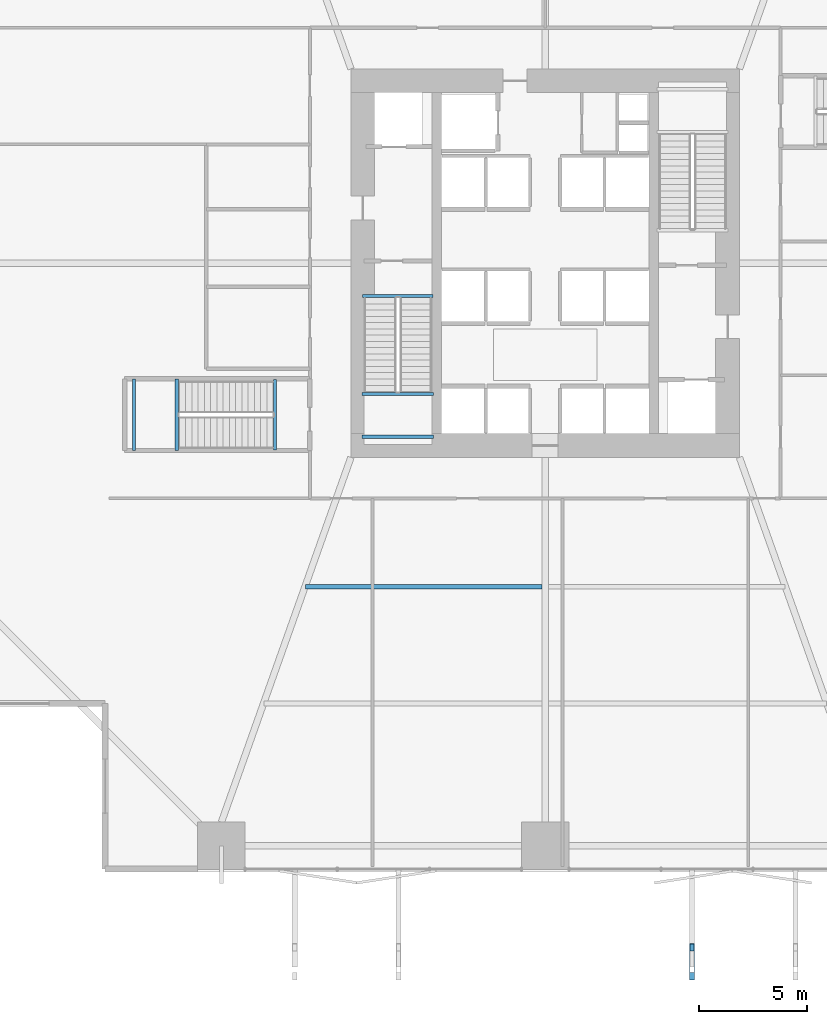
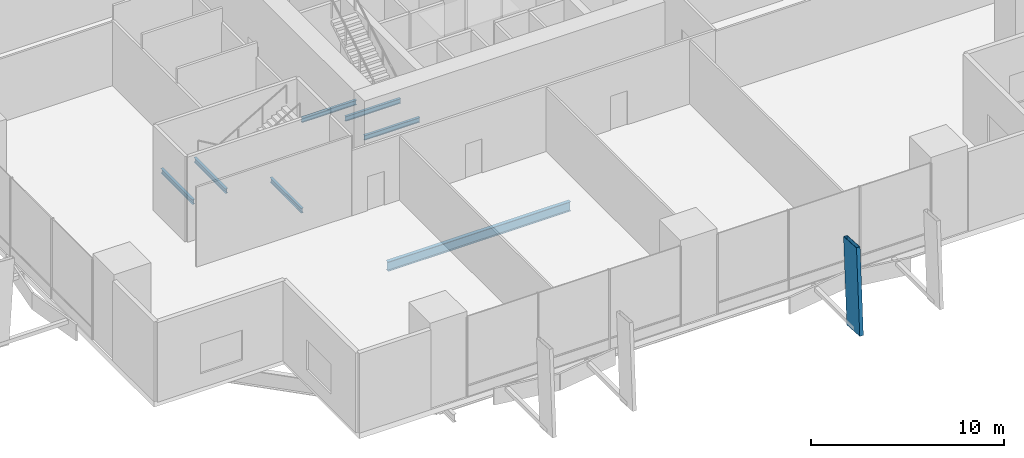
# One storey, part 5 of 24: 7 beams, 1 member.
"""IFC4 building model written with IfcOpenShell, lengths in metres."""

from ifc_helpers import new_model, si_unit, direction, frame, origin, origin_2d, place, context, subcontext, project, spatial, hollow_rectangle, i_section, extrude, material, material_profile, profile_set, type_object, element, save


model = new_model("IFC4")

# Units and contexts
model_context = context("Model", 3, precision=1e-05, world=origin(), true_north=direction((0.0, 1.0)))
body_context = subcontext(model_context, "Body", "Model", "MODEL_VIEW")
ifc_project = project(units=[si_unit("LENGTHUNIT", "METRE"), si_unit("AREAUNIT", "SQUARE_METRE"), si_unit("VOLUMEUNIT", "CUBIC_METRE"), si_unit("PLANEANGLEUNIT", "RADIAN"), si_unit("MASSUNIT", "GRAM", prefix="KILO")], contexts=[model_context])

# Site, building, storey
site_placement = place(None, origin())
site = spatial("IfcSite", under=ifc_project, at=site_placement, CompositionType="ELEMENT")
building_placement = place(site_placement, origin())
building = spatial("IfcBuilding", under=site, at=building_placement, Name="Belovzor Exchange Tower", CompositionType="ELEMENT")
storey_placement = place(building_placement, frame((0.0, 0.0, 13.800048828125)))
storey = spatial("IfcBuildingStorey", under=building, at=storey_placement, Name="L03", CompositionType="ELEMENT", Elevation=13.800048828125)

# Member
ifc_material_1 = material(Name="Extruded Architectural Terracotta on Steel S355 Carrier", Category="masonry")
ifc_material_profile_1 = material_profile(ifc_material_1, hollow_rectangle(XDim=0.219970703125, YDim=1.35009765625, WallThickness=0.013916015625, at=origin_2d()))
ifc_profile_set_1 = profile_set([ifc_material_profile_1], Name="Extruded Architectural Terracotta on Steel S355 Carrier")
member_type = type_object("IfcMemberType", Name="Base Arc Sweeping Terracotta Pylon Fin 1450", PredefinedType="USERDEFINED", material=ifc_profile_set_1)
member_placement = place(storey_placement, frame((35.60009765625, -3.739990234375, -0.35009765625), z_axis=(0.0, 0.062448514419, 0.998048186736), x_axis=(-1.0, 0.0, 0.0)))
element("IfcMember", 1, at=member_placement, inside=storey, type_object=member_type, Name="FIN-TC145 Terracotta Facade Fin L03 S3", ObjectType="FIN", PredefinedType="USERDEFINED", context=body_context, shape_type="SweptSolid", body=[
    extrude(hollow_rectangle(XDim=0.219970703125, YDim=1.35009765625, WallThickness=0.013916015625, at=origin_2d()), origin(), (0.0, 0.0, 1.0), 5.41064453125),
])

# Beams
ifc_material_2 = material(Name="Steel S355", Category="steel")
ifc_material_profile_2 = material_profile(ifc_material_2, i_section(OverallWidth=0.219970703125, OverallDepth=0.60009765625, WebThickness=0.011962890625, FlangeThickness=0.01904296875, at=origin_2d()))
ifc_profile_set_2 = profile_set([ifc_material_profile_2], Name="Steel S355")
beam_type_1 = type_object("IfcBeamType", Name="Podium Secondary Composite Floor Beam IPE 600", PredefinedType="BEAM", material=ifc_profile_set_2)
beam_1_placement = place(storey_placement, frame((17.68994140625, 13.800048828125, -0.650146484375), z_axis=(1.0, 0.0, 0.0), x_axis=(0.0, 1.0, 0.0)))
element("IfcBeam", 2, at=beam_1_placement, inside=storey, type_object=beam_type_1, Name="FB-600 Podium Secondary Composite Floor Beam IPE 600", PredefinedType="BEAM", context=body_context, shape_type="SweptSolid", body=[
    extrude(i_section(OverallWidth=0.219970703125, OverallDepth=0.60009765625, WebThickness=0.011962890625, FlangeThickness=0.01904296875, at=origin_2d()), origin(), (0.0, 0.0, 1.0), 10.9599609375),
])
ifc_material_3 = material(Name="Steel S355", Category="steel")
ifc_material_profile_3 = material_profile(ifc_material_3, i_section(OverallWidth=0.14990234375, OverallDepth=0.300048828125, WebThickness=0.007080078125, FlangeThickness=0.0107421875, at=origin_2d()))
ifc_profile_set_3 = profile_set([ifc_material_profile_3], Name="Steel S355")
beam_type_2 = type_object("IfcBeamType", Name="Secondary Trim Floor Joist IPE 300", PredefinedType="BEAM", material=ifc_profile_set_3)
for number, where, z_axis, x_axis, name in (
    (3, (20.320068359375, 22.72998046875, 2.349853515625), (1.0, 0.0, 0.0), (0.0, 1.0, 0.0), "FJ-300 Secondary Trim Floor Joist IPE 300"),
    (4, (20.320068359375, 20.75, 2.349853515625), (1.0, 0.0, 0.0), (0.0, 1.0, 0.0), "FJ-300 Secondary Trim Floor Joist IPE 300"),
):
    element("IfcBeam", number, at=place(storey_placement, frame(where, z_axis=z_axis, x_axis=x_axis)), inside=storey, type_object=beam_type_2, Name=name, PredefinedType="BEAM", context=body_context, shape_type="SweptSolid", body=[
        extrude(i_section(OverallWidth=0.14990234375, OverallDepth=0.300048828125, WebThickness=0.007080078125, FlangeThickness=0.0107421875, at=origin_2d()), origin(), (0.0, 0.0, 1.0), 3.309814453125),
    ])
beam_2_placement = place(storey_placement, frame((20.340087890625, 27.280029296875, -0.5), z_axis=(1.0, 0.0, 0.0), x_axis=(0.0, 1.0, 0.0)))
element("IfcBeam", 5, at=beam_2_placement, inside=storey, type_object=beam_type_2, Name="FJ-300 Secondary Trim Floor Joist IPE 300", PredefinedType="BEAM", context=body_context, shape_type="SweptSolid", body=[
    extrude(i_section(OverallWidth=0.14990234375, OverallDepth=0.300048828125, WebThickness=0.007080078125, FlangeThickness=0.0107421875, at=origin_2d()), origin(), (0.0, 0.0, 1.0), 3.27001953125),
])
for number, where, z_axis, x_axis, name in (
    (6, (11.72998046875, 23.429931640625, 2.349853515625), (0.0, -1.0, 0.0), (1.0, 0.0, 0.0), "FJ-300 Secondary Trim Floor Joist IPE 300"),
    (7, (9.75, 23.429931640625, 2.349853515625), (0.0, -1.0, 0.0), (1.0, 0.0, 0.0), "FJ-300 Secondary Trim Floor Joist IPE 300"),
):
    element("IfcBeam", number, at=place(storey_placement, frame(where, z_axis=z_axis, x_axis=x_axis)), inside=storey, type_object=beam_type_2, Name=name, PredefinedType="BEAM", context=body_context, shape_type="SweptSolid", body=[
        extrude(i_section(OverallWidth=0.14990234375, OverallDepth=0.300048828125, WebThickness=0.007080078125, FlangeThickness=0.0107421875, at=origin_2d()), origin(), (0.0, 0.0, 1.0), 3.309814453125),
    ])
beam_3_placement = place(storey_placement, frame((16.280029296875, 23.409912109375, -0.5), z_axis=(0.0, -1.0, 0.0), x_axis=(1.0, 0.0, 0.0)))
element("IfcBeam", 8, at=beam_3_placement, inside=storey, type_object=beam_type_2, Name="FJ-300 Secondary Trim Floor Joist IPE 300", PredefinedType="BEAM", context=body_context, shape_type="SweptSolid", body=[
    extrude(i_section(OverallWidth=0.14990234375, OverallDepth=0.300048828125, WebThickness=0.007080078125, FlangeThickness=0.0107421875, at=origin_2d()), origin(), (0.0, 0.0, 1.0), 3.27001953125),
])

save(model, "model.ifc")
